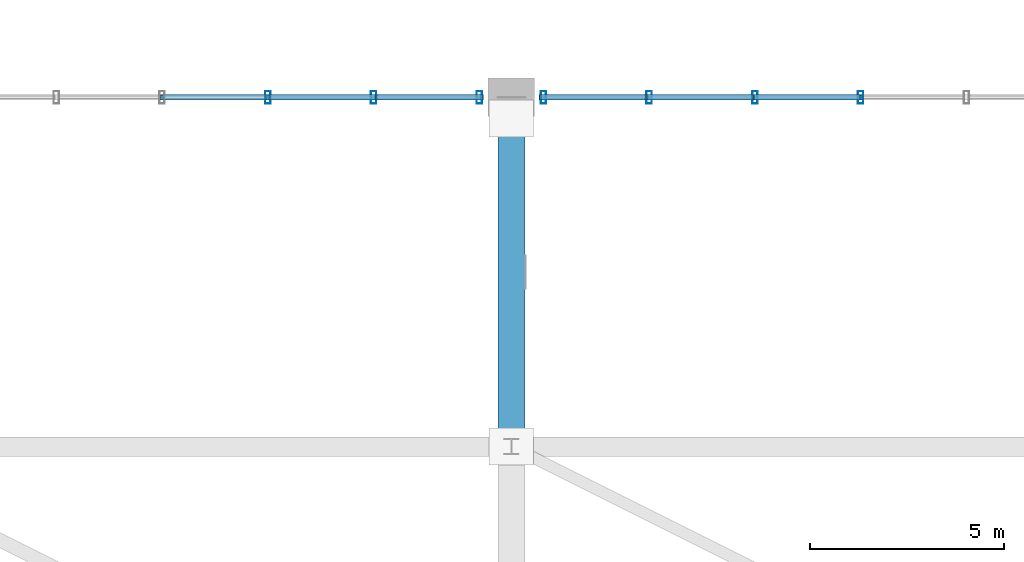
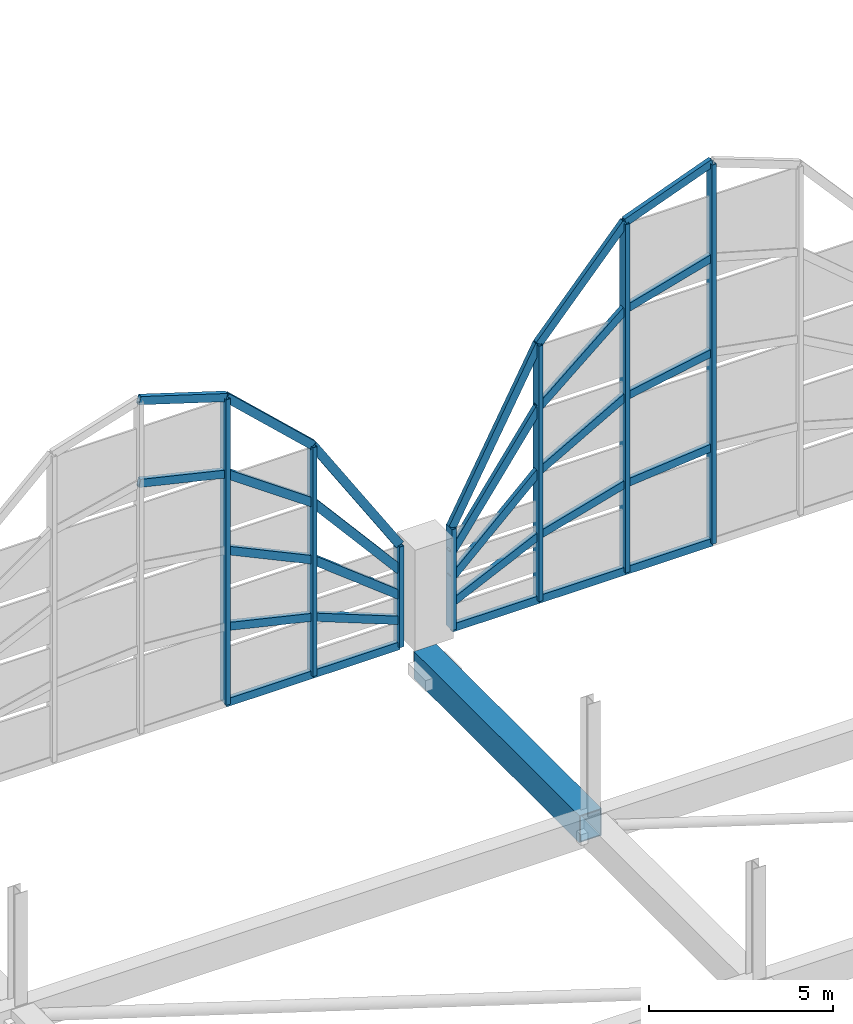
# One storey, part 45 of 116: 34 members, 1 beam, 2 elements without a shape of their own.
"""IFC4 building model written with IfcOpenShell, lengths in metres."""

from ifc_helpers import new_model, si_unit, direction, frame, origin, origin_2d, place, context, subcontext, project, spatial, hollow_rectangle, extrude, material, material_profile, profile_set, type_object, element, aggregate, save


model = new_model("IFC4")

# Units and contexts
model_context = context("Model", 3, precision=1e-05, world=origin(), true_north=direction((0.0, 1.0)))
body_context = subcontext(model_context, "Body", "Model", "MODEL_VIEW")
ifc_project = project(units=[si_unit("LENGTHUNIT", "METRE"), si_unit("AREAUNIT", "SQUARE_METRE"), si_unit("VOLUMEUNIT", "CUBIC_METRE"), si_unit("PLANEANGLEUNIT", "RADIAN"), si_unit("MASSUNIT", "GRAM", prefix="KILO")], contexts=[model_context])

# Site, building, storey
site_placement = place(None, origin())
site = spatial("IfcSite", under=ifc_project, at=site_placement, CompositionType="ELEMENT")
building_placement = place(site_placement, origin())
building = spatial("IfcBuilding", under=site, at=building_placement, Name="Chuanluo Vaults Station", CompositionType="ELEMENT")
storey_placement = place(building_placement, frame((0.0, 0.0, 10.800048828125)))
storey = spatial("IfcBuildingStorey", under=building, at=storey_placement, Name="L02", CompositionType="ELEMENT", Elevation=10.800048828125)

# Beam
ifc_material_1 = material(Name="Steel Q390C", Category="steel")
ifc_material_profile_1 = material_profile(ifc_material_1, hollow_rectangle(XDim=0.699951171875, YDim=0.89990234375, WallThickness=0.035888671875, at=origin_2d()))
ifc_profile_set_1 = profile_set([ifc_material_profile_1], Name="Steel Q390C")
beam_type = type_object("IfcBeamType", Name="BM-TT-TOP", PredefinedType="USERDEFINED", material=ifc_profile_set_1)
beam_placement = place(storey_placement, frame((54.0, 94.5, -0.85009765625), z_axis=(0.0, 1.0, 0.0), x_axis=(-1.0, 0.0, 0.0)))
element("IfcBeam", 1, at=beam_placement, inside=storey, type_object=beam_type, Name="Transfer truss TT-4 top chord 4", ObjectType="GIRDER", PredefinedType="USERDEFINED", context=body_context, shape_type="SweptSolid", body=[
    extrude(hollow_rectangle(XDim=0.699951171875, YDim=0.89990234375, WallThickness=0.035888671875, at=origin_2d()), origin(), (0.0, 0.0, 1.0), 9.0),
])

# Curtain wall, members
ifc_material_2 = material(Name="Anodised aluminium 6063-T6", Category="aluminium")
curtain_wall_type_1 = type_object("IfcCurtainWallType", Name="CW-SYS-09", PredefinedType="NOTDEFINED", material=ifc_material_2)
curtain_wall_1_placement = place(storey_placement, origin())
curtain_wall_1 = element("IfcCurtainWall", 2, at=curtain_wall_1_placement, inside=storey, type_object=curtain_wall_type_1, Name="Vault V3 north arched curtain wall", PredefinedType="NOTDEFINED")
ifc_material_3 = material(Name="Anodised aluminium 6063-T6", Category="aluminium")
ifc_material_profile_2 = material_profile(ifc_material_3, hollow_rectangle(XDim=0.139892578125, YDim=0.320068359375, WallThickness=0.008056640625, at=origin_2d()))
ifc_profile_set_2 = profile_set([ifc_material_profile_2], Name="Anodised aluminium 6063-T6")
member_type_1 = type_object("IfcMemberType", Name="CWM-220", PredefinedType="MULLION", material=ifc_profile_set_2)
member_1_placement = place(storey_placement, frame((47.72509765625, 103.5, 0.0), z_axis=(0.0, 0.0, 1.0), x_axis=(1.0, 0.0, 0.0)))
member_1 = element("IfcMember", 3, at=member_1_placement, type_object=member_type_1, Name="Vault V3 north arched curtain wall mullion 5", PredefinedType="MULLION", context=body_context, shape_type="SweptSolid", body=[
    extrude(hollow_rectangle(XDim=0.139892578125, YDim=0.320068359375, WallThickness=0.008056640625, at=origin_2d()), origin(), (0.0, 0.0, 1.0), 10.14990234375),
])
member_2_placement = place(storey_placement, frame((50.449951171875, 103.5, 0.0), z_axis=(0.0, 0.0, 1.0), x_axis=(1.0, 0.0, 0.0)))
member_2 = element("IfcMember", 4, at=member_2_placement, type_object=member_type_1, Name="Vault V3 north arched curtain wall mullion 6", PredefinedType="MULLION", context=body_context, shape_type="SweptSolid", body=[
    extrude(hollow_rectangle(XDim=0.139892578125, YDim=0.320068359375, WallThickness=0.008056640625, at=origin_2d()), origin(), (0.0, 0.0, 1.0), 7.599853515625),
])
member_3_placement = place(storey_placement, frame((53.175048828125, 103.5, 0.0), z_axis=(0.0, 0.0, 1.0), x_axis=(1.0, 0.0, 0.0)))
member_3 = element("IfcMember", 5, at=member_3_placement, type_object=member_type_1, Name="Vault V3 north arched curtain wall mullion 7", PredefinedType="MULLION", context=body_context, shape_type="SweptSolid", body=[
    extrude(hollow_rectangle(XDim=0.139892578125, YDim=0.320068359375, WallThickness=0.008056640625, at=origin_2d()), origin(), (0.0, 0.0, 1.0), 3.349853515625),
])

ifc_material_4 = material(Name="Anodised aluminium 6063-T6", Category="aluminium")
curtain_wall_type_2 = type_object("IfcCurtainWallType", Name="CW-SYS-13", PredefinedType="NOTDEFINED", material=ifc_material_4)
curtain_wall_2_placement = place(storey_placement, origin())
curtain_wall_2 = element("IfcCurtainWall", 6, at=curtain_wall_2_placement, inside=storey, type_object=curtain_wall_type_2, Name="Vault V4 north arched curtain wall", PredefinedType="NOTDEFINED")
member_4_placement = place(storey_placement, frame((54.824951171875, 103.5, 0.0), z_axis=(0.0, 0.0, 1.0), x_axis=(1.0, 0.0, 0.0)))
member_4 = element("IfcMember", 7, at=member_4_placement, type_object=member_type_1, Name="Vault V4 north arched curtain wall mullion 1", PredefinedType="MULLION", context=body_context, shape_type="SweptSolid", body=[
    extrude(hollow_rectangle(XDim=0.139892578125, YDim=0.320068359375, WallThickness=0.008056640625, at=origin_2d()), origin(), (0.0, 0.0, 1.0), 3.349853515625),
])
member_5_placement = place(storey_placement, frame((57.550048828125, 103.5, 0.0), z_axis=(0.0, 0.0, 1.0), x_axis=(1.0, 0.0, 0.0)))
member_5 = element("IfcMember", 8, at=member_5_placement, type_object=member_type_1, Name="Vault V4 north arched curtain wall mullion 2", PredefinedType="MULLION", context=body_context, shape_type="SweptSolid", body=[
    extrude(hollow_rectangle(XDim=0.139892578125, YDim=0.320068359375, WallThickness=0.008056640625, at=origin_2d()), origin(), (0.0, 0.0, 1.0), 8.48876953125),
])
member_6_placement = place(storey_placement, frame((60.27490234375, 103.5, 0.0), z_axis=(0.0, 0.0, 1.0), x_axis=(1.0, 0.0, 0.0)))
member_6 = element("IfcMember", 9, at=member_6_placement, type_object=member_type_1, Name="Vault V4 north arched curtain wall mullion 3", PredefinedType="MULLION", context=body_context, shape_type="SweptSolid", body=[
    extrude(hollow_rectangle(XDim=0.139892578125, YDim=0.320068359375, WallThickness=0.008056640625, at=origin_2d()), origin(), (0.0, 0.0, 1.0), 11.572265625),
])
member_7_placement = place(storey_placement, frame((63.0, 103.5, 0.0), z_axis=(0.0, 0.0, 1.0), x_axis=(1.0, 0.0, 0.0)))
member_7 = element("IfcMember", 10, at=member_7_placement, type_object=member_type_1, Name="Vault V4 north arched curtain wall mullion 4", PredefinedType="MULLION", context=body_context, shape_type="SweptSolid", body=[
    extrude(hollow_rectangle(XDim=0.139892578125, YDim=0.320068359375, WallThickness=0.008056640625, at=origin_2d()), origin(), (0.0, 0.0, 1.0), 12.599853515625),
])

# Member
ifc_material_5 = material(Name="Anodised aluminium 6063-T6", Category="aluminium")
ifc_material_profile_3 = material_profile(ifc_material_5, hollow_rectangle(XDim=0.139892578125, YDim=0.260009765625, WallThickness=0.007080078125, at=origin_2d()))
ifc_profile_set_3 = profile_set([ifc_material_profile_3], Name="Anodised aluminium 6063-T6")
member_type_2 = type_object("IfcMemberType", Name="CWT-180", PredefinedType="USERDEFINED", material=ifc_profile_set_3)
member_8_placement = place(storey_placement, frame((45.0, 103.5, 8.25), z_axis=(0.973714941559, 0.0, -0.227770087118), x_axis=(0.0, 1.0, 0.0)))
member_8 = element("IfcMember", 11, at=member_8_placement, type_object=member_type_2, Name="Vault V3 north arched curtain wall transom 4.4", ObjectType="TRANSOM", PredefinedType="USERDEFINED", context=body_context, shape_type="SweptSolid", body=[
    extrude(hollow_rectangle(XDim=0.139892578125, YDim=0.260009765625, WallThickness=0.007080078125, at=origin_2d()), origin(), (0.0, 0.0, 1.0), 2.798583984375),
])

member_9_placement = place(storey_placement, frame((45.0, 103.5, 11.0), z_axis=(0.954628994684, 0.0, -0.297797720793), x_axis=(0.0, 1.0, 0.0)))
member_9 = element("IfcMember", 12, at=member_9_placement, type_object=member_type_2, Name="Vault V3 north arched curtain wall transom 4.5", ObjectType="TRANSOM", PredefinedType="USERDEFINED", context=body_context, shape_type="SweptSolid", body=[
    extrude(hollow_rectangle(XDim=0.139892578125, YDim=0.260009765625, WallThickness=0.007080078125, at=origin_2d()), origin(), (0.0, 0.0, 1.0), 2.854736328125),
])

member_10_placement = place(storey_placement, frame((47.72509765625, 103.5, 0.0), z_axis=(1.0, 0.0, 0.0), x_axis=(0.0, 1.0, 0.0)))
member_10 = element("IfcMember", 13, at=member_10_placement, type_object=member_type_2, Name="Vault V3 north arched curtain wall transom 5.1", ObjectType="TRANSOM", PredefinedType="USERDEFINED", context=body_context, shape_type="SweptSolid", body=[
    extrude(hollow_rectangle(XDim=0.139892578125, YDim=0.260009765625, WallThickness=0.007080078125, at=origin_2d()), origin(), (0.0, 0.0, 1.0), 2.724853515625),
])

member_11_placement = place(storey_placement, frame((47.72509765625, 103.5, 2.537353515625), z_axis=(0.973710415309, 0.0, -0.227789435926), x_axis=(0.0, 1.0, 0.0)))
member_11 = element("IfcMember", 14, at=member_11_placement, type_object=member_type_2, Name="Vault V3 north arched curtain wall transom 5.2", ObjectType="TRANSOM", PredefinedType="USERDEFINED", context=body_context, shape_type="SweptSolid", body=[
    extrude(hollow_rectangle(XDim=0.139892578125, YDim=0.260009765625, WallThickness=0.007080078125, at=origin_2d()), origin(), (0.0, 0.0, 1.0), 2.79833984375),
])

member_12_placement = place(storey_placement, frame((47.72509765625, 103.5, 5.074951171875), z_axis=(0.905761814953, 0.0, -0.423787133562), x_axis=(0.0, 1.0, 0.0)))
member_12 = element("IfcMember", 15, at=member_12_placement, type_object=member_type_2, Name="Vault V3 north arched curtain wall transom 5.3", ObjectType="TRANSOM", PredefinedType="USERDEFINED", context=body_context, shape_type="SweptSolid", body=[
    extrude(hollow_rectangle(XDim=0.139892578125, YDim=0.260009765625, WallThickness=0.007080078125, at=origin_2d()), origin(), (0.0, 0.0, 1.0), 3.00830078125),
])

member_13_placement = place(storey_placement, frame((47.72509765625, 103.5, 7.612548828125), z_axis=(0.818497402658, 0.0, -0.574510227795), x_axis=(0.0, 1.0, 0.0)))
member_13 = element("IfcMember", 16, at=member_13_placement, type_object=member_type_2, Name="Vault V3 north arched curtain wall transom 5.4", ObjectType="TRANSOM", PredefinedType="USERDEFINED", context=body_context, shape_type="SweptSolid", body=[
    extrude(hollow_rectangle(XDim=0.139892578125, YDim=0.260009765625, WallThickness=0.007080078125, at=origin_2d()), origin(), (0.0, 0.0, 1.0), 3.3291015625),
])

member_14_placement = place(storey_placement, frame((47.72509765625, 103.5, 10.14990234375), z_axis=(0.730138747067, 0.0, -0.683298917043), x_axis=(0.0, 1.0, 0.0)))
member_14 = element("IfcMember", 17, at=member_14_placement, type_object=member_type_2, Name="Vault V3 north arched curtain wall transom 5.5", ObjectType="TRANSOM", PredefinedType="USERDEFINED", context=body_context, shape_type="SweptSolid", body=[
    extrude(hollow_rectangle(XDim=0.139892578125, YDim=0.260009765625, WallThickness=0.007080078125, at=origin_2d()), origin(), (0.0, 0.0, 1.0), 3.73193359375),
])

member_15_placement = place(storey_placement, frame((50.449951171875, 103.5, 0.0), z_axis=(1.0, 0.0, 0.0), x_axis=(0.0, 1.0, 0.0)))
member_15 = element("IfcMember", 18, at=member_15_placement, type_object=member_type_2, Name="Vault V3 north arched curtain wall transom 6.1", ObjectType="TRANSOM", PredefinedType="USERDEFINED", context=body_context, shape_type="SweptSolid", body=[
    extrude(hollow_rectangle(XDim=0.139892578125, YDim=0.260009765625, WallThickness=0.007080078125, at=origin_2d()), origin(), (0.0, 0.0, 1.0), 2.72509765625),
])

member_16_placement = place(storey_placement, frame((50.449951171875, 103.5, 1.89990234375), z_axis=(0.931687892664, 0.0, -0.363259783988), x_axis=(0.0, 1.0, 0.0)))
member_16 = element("IfcMember", 19, at=member_16_placement, type_object=member_type_2, Name="Vault V3 north arched curtain wall transom 6.2", ObjectType="TRANSOM", PredefinedType="USERDEFINED", context=body_context, shape_type="SweptSolid", body=[
    extrude(hollow_rectangle(XDim=0.139892578125, YDim=0.260009765625, WallThickness=0.007080078125, at=origin_2d()), origin(), (0.0, 0.0, 1.0), 2.9248046875),
])

member_17_placement = place(storey_placement, frame((50.449951171875, 103.5, 3.800048828125), z_axis=(0.788583156277, 0.0, -0.614928130464), x_axis=(0.0, 1.0, 0.0)))
member_17 = element("IfcMember", 20, at=member_17_placement, type_object=member_type_2, Name="Vault V3 north arched curtain wall transom 6.3", ObjectType="TRANSOM", PredefinedType="USERDEFINED", context=body_context, shape_type="SweptSolid", body=[
    extrude(hollow_rectangle(XDim=0.139892578125, YDim=0.260009765625, WallThickness=0.007080078125, at=origin_2d()), origin(), (0.0, 0.0, 1.0), 3.45556640625),
])

member_18_placement = place(storey_placement, frame((50.449951171875, 103.5, 5.699951171875), z_axis=(0.649822380818, 0.0, -0.760086096037), x_axis=(0.0, 1.0, 0.0)))
member_18 = element("IfcMember", 21, at=member_18_placement, type_object=member_type_2, Name="Vault V3 north arched curtain wall transom 6.4", ObjectType="TRANSOM", PredefinedType="USERDEFINED", context=body_context, shape_type="SweptSolid", body=[
    extrude(hollow_rectangle(XDim=0.139892578125, YDim=0.260009765625, WallThickness=0.007080078125, at=origin_2d()), origin(), (0.0, 0.0, 1.0), 4.193603515625),
])

member_19_placement = place(storey_placement, frame((50.449951171875, 103.5, 7.599853515625), z_axis=(0.539769811752, 0.0, -0.841812657497), x_axis=(0.0, 1.0, 0.0)))
member_19 = element("IfcMember", 22, at=member_19_placement, type_object=member_type_2, Name="Vault V3 north arched curtain wall transom 6.5", ObjectType="TRANSOM", PredefinedType="USERDEFINED", context=body_context, shape_type="SweptSolid", body=[
    extrude(hollow_rectangle(XDim=0.139892578125, YDim=0.260009765625, WallThickness=0.007080078125, at=origin_2d()), origin(), (0.0, 0.0, 1.0), 5.048583984375),
])

aggregate(curtain_wall_1, [member_1, member_2, member_3, member_8, member_9, member_10, member_11, member_12, member_13, member_14, member_15, member_16, member_17, member_18, member_19])

member_20_placement = place(storey_placement, frame((54.824951171875, 103.5, 0.0), z_axis=(1.0, 0.0, 0.0), x_axis=(0.0, 1.0, 0.0)))
member_20 = element("IfcMember", 23, at=member_20_placement, type_object=member_type_2, Name="Vault V4 north arched curtain wall transom 1.1", ObjectType="TRANSOM", PredefinedType="USERDEFINED", context=body_context, shape_type="SweptSolid", body=[
    extrude(hollow_rectangle(XDim=0.139892578125, YDim=0.260009765625, WallThickness=0.007080078125, at=origin_2d()), origin(), (0.0, 0.0, 1.0), 2.72509765625),
])

member_21_placement = place(storey_placement, frame((54.824951171875, 103.5, 0.83740234375), z_axis=(0.904528322091, 0.0, 0.426413548723), x_axis=(0.0, 1.0, 0.0)))
member_21 = element("IfcMember", 24, at=member_21_placement, type_object=member_type_2, Name="Vault V4 north arched curtain wall transom 1.2", ObjectType="TRANSOM", PredefinedType="USERDEFINED", context=body_context, shape_type="SweptSolid", body=[
    extrude(hollow_rectangle(XDim=0.139892578125, YDim=0.260009765625, WallThickness=0.007080078125, at=origin_2d()), origin(), (0.0, 0.0, 1.0), 3.0126953125),
])

member_22_placement = place(storey_placement, frame((54.824951171875, 103.5, 1.675048828125), z_axis=(0.727594983789, 0.0, 0.686006953001), x_axis=(0.0, 1.0, 0.0)))
member_22 = element("IfcMember", 25, at=member_22_placement, type_object=member_type_2, Name="Vault V4 north arched curtain wall transom 1.3", ObjectType="TRANSOM", PredefinedType="USERDEFINED", context=body_context, shape_type="SweptSolid", body=[
    extrude(hollow_rectangle(XDim=0.139892578125, YDim=0.260009765625, WallThickness=0.007080078125, at=origin_2d()), origin(), (0.0, 0.0, 1.0), 3.745361328125),
])

member_23_placement = place(storey_placement, frame((54.824951171875, 103.5, 2.512451171875), z_axis=(0.577312520527, 0.0, 0.816523271954), x_axis=(0.0, 1.0, 0.0)))
member_23 = element("IfcMember", 26, at=member_23_placement, type_object=member_type_2, Name="Vault V4 north arched curtain wall transom 1.4", ObjectType="TRANSOM", PredefinedType="USERDEFINED", context=body_context, shape_type="SweptSolid", body=[
    extrude(hollow_rectangle(XDim=0.139892578125, YDim=0.260009765625, WallThickness=0.007080078125, at=origin_2d()), origin(), (0.0, 0.0, 1.0), 4.72021484375),
])

member_24_placement = place(storey_placement, frame((54.824951171875, 103.5, 3.349853515625), z_axis=(0.468491213708, 0.0, 0.883468156007), x_axis=(0.0, 1.0, 0.0)))
member_24 = element("IfcMember", 27, at=member_24_placement, type_object=member_type_2, Name="Vault V4 north arched curtain wall transom 1.5", ObjectType="TRANSOM", PredefinedType="USERDEFINED", context=body_context, shape_type="SweptSolid", body=[
    extrude(hollow_rectangle(XDim=0.139892578125, YDim=0.260009765625, WallThickness=0.007080078125, at=origin_2d()), origin(), (0.0, 0.0, 1.0), 5.816650390625),
])

member_25_placement = place(storey_placement, frame((57.550048828125, 103.5, 0.0), z_axis=(1.0, 0.0, 0.0), x_axis=(0.0, 1.0, 0.0)))
member_25 = element("IfcMember", 28, at=member_25_placement, type_object=member_type_2, Name="Vault V4 north arched curtain wall transom 2.1", ObjectType="TRANSOM", PredefinedType="USERDEFINED", context=body_context, shape_type="SweptSolid", body=[
    extrude(hollow_rectangle(XDim=0.139892578125, YDim=0.260009765625, WallThickness=0.007080078125, at=origin_2d()), origin(), (0.0, 0.0, 1.0), 2.724853515625),
])

member_26_placement = place(storey_placement, frame((57.550048828125, 103.5, 2.1220703125), z_axis=(0.962223519455, 0.0, 0.272260718075), x_axis=(0.0, 1.0, 0.0)))
member_26 = element("IfcMember", 29, at=member_26_placement, type_object=member_type_2, Name="Vault V4 north arched curtain wall transom 2.2", ObjectType="TRANSOM", PredefinedType="USERDEFINED", context=body_context, shape_type="SweptSolid", body=[
    extrude(hollow_rectangle(XDim=0.139892578125, YDim=0.260009765625, WallThickness=0.007080078125, at=origin_2d()), origin(), (0.0, 0.0, 1.0), 2.831787109375),
])

member_27_placement = place(storey_placement, frame((57.550048828125, 103.5, 4.244384765625), z_axis=(0.870341992142, 0.0, 0.492447780698), x_axis=(0.0, 1.0, 0.0)))
member_27 = element("IfcMember", 30, at=member_27_placement, type_object=member_type_2, Name="Vault V4 north arched curtain wall transom 2.3", ObjectType="TRANSOM", PredefinedType="USERDEFINED", context=body_context, shape_type="SweptSolid", body=[
    extrude(hollow_rectangle(XDim=0.139892578125, YDim=0.260009765625, WallThickness=0.007080078125, at=origin_2d()), origin(), (0.0, 0.0, 1.0), 3.130859375),
])

member_28_placement = place(storey_placement, frame((57.550048828125, 103.5, 6.36669921875), z_axis=(0.762439687488, 0.0, 0.647059288584), x_axis=(0.0, 1.0, 0.0)))
member_28 = element("IfcMember", 31, at=member_28_placement, type_object=member_type_2, Name="Vault V4 north arched curtain wall transom 2.4", ObjectType="TRANSOM", PredefinedType="USERDEFINED", context=body_context, shape_type="SweptSolid", body=[
    extrude(hollow_rectangle(XDim=0.139892578125, YDim=0.260009765625, WallThickness=0.007080078125, at=origin_2d()), origin(), (0.0, 0.0, 1.0), 3.573974609375),
])

member_29_placement = place(storey_placement, frame((57.550048828125, 103.5, 8.48876953125), z_axis=(0.662184625889, 0.0, 0.749340724395), x_axis=(0.0, 1.0, 0.0)))
member_29 = element("IfcMember", 32, at=member_29_placement, type_object=member_type_2, Name="Vault V4 north arched curtain wall transom 2.5", ObjectType="TRANSOM", PredefinedType="USERDEFINED", context=body_context, shape_type="SweptSolid", body=[
    extrude(hollow_rectangle(XDim=0.139892578125, YDim=0.260009765625, WallThickness=0.007080078125, at=origin_2d()), origin(), (0.0, 0.0, 1.0), 4.114990234375),
])

member_30_placement = place(storey_placement, frame((60.27490234375, 103.5, 0.0), z_axis=(1.0, 0.0, 0.0), x_axis=(0.0, 1.0, 0.0)))
member_30 = element("IfcMember", 33, at=member_30_placement, type_object=member_type_2, Name="Vault V4 north arched curtain wall transom 3.1", ObjectType="TRANSOM", PredefinedType="USERDEFINED", context=body_context, shape_type="SweptSolid", body=[
    extrude(hollow_rectangle(XDim=0.139892578125, YDim=0.260009765625, WallThickness=0.007080078125, at=origin_2d()), origin(), (0.0, 0.0, 1.0), 2.72509765625),
])

member_31_placement = place(storey_placement, frame((60.27490234375, 103.5, 2.89306640625), z_axis=(0.995587996342, 0.0, 0.093832518559), x_axis=(0.0, 1.0, 0.0)))
member_31 = element("IfcMember", 34, at=member_31_placement, type_object=member_type_2, Name="Vault V4 north arched curtain wall transom 3.2", ObjectType="TRANSOM", PredefinedType="USERDEFINED", context=body_context, shape_type="SweptSolid", body=[
    extrude(hollow_rectangle(XDim=0.139892578125, YDim=0.260009765625, WallThickness=0.007080078125, at=origin_2d()), origin(), (0.0, 0.0, 1.0), 2.737060546875),
])

member_32_placement = place(storey_placement, frame((60.27490234375, 103.5, 5.7861328125), z_axis=(0.982678294961, 0.0, 0.185319639034), x_axis=(0.0, 1.0, 0.0)))
member_32 = element("IfcMember", 35, at=member_32_placement, type_object=member_type_2, Name="Vault V4 north arched curtain wall transom 3.3", ObjectType="TRANSOM", PredefinedType="USERDEFINED", context=body_context, shape_type="SweptSolid", body=[
    extrude(hollow_rectangle(XDim=0.139892578125, YDim=0.260009765625, WallThickness=0.007080078125, at=origin_2d()), origin(), (0.0, 0.0, 1.0), 2.773193359375),
])

member_33_placement = place(storey_placement, frame((60.27490234375, 103.5, 8.67919921875), z_axis=(0.962252488614, 0.0, 0.272158314509), x_axis=(0.0, 1.0, 0.0)))
member_33 = element("IfcMember", 36, at=member_33_placement, type_object=member_type_2, Name="Vault V4 north arched curtain wall transom 3.4", ObjectType="TRANSOM", PredefinedType="USERDEFINED", context=body_context, shape_type="SweptSolid", body=[
    extrude(hollow_rectangle(XDim=0.139892578125, YDim=0.260009765625, WallThickness=0.007080078125, at=origin_2d()), origin(), (0.0, 0.0, 1.0), 2.83203125),
])

member_34_placement = place(storey_placement, frame((60.27490234375, 103.5, 11.572265625), z_axis=(0.935686851878, 0.0, 0.35283156778), x_axis=(0.0, 1.0, 0.0)))
member_34 = element("IfcMember", 37, at=member_34_placement, type_object=member_type_2, Name="Vault V4 north arched curtain wall transom 3.5", ObjectType="TRANSOM", PredefinedType="USERDEFINED", context=body_context, shape_type="SweptSolid", body=[
    extrude(hollow_rectangle(XDim=0.139892578125, YDim=0.260009765625, WallThickness=0.007080078125, at=origin_2d()), origin(), (0.0, 0.0, 1.0), 2.912353515625),
])

aggregate(curtain_wall_2, [member_4, member_5, member_6, member_7, member_20, member_21, member_22, member_23, member_24, member_25, member_26, member_27, member_28, member_29, member_30, member_31, member_32, member_33, member_34])

save(model, "model.ifc")
